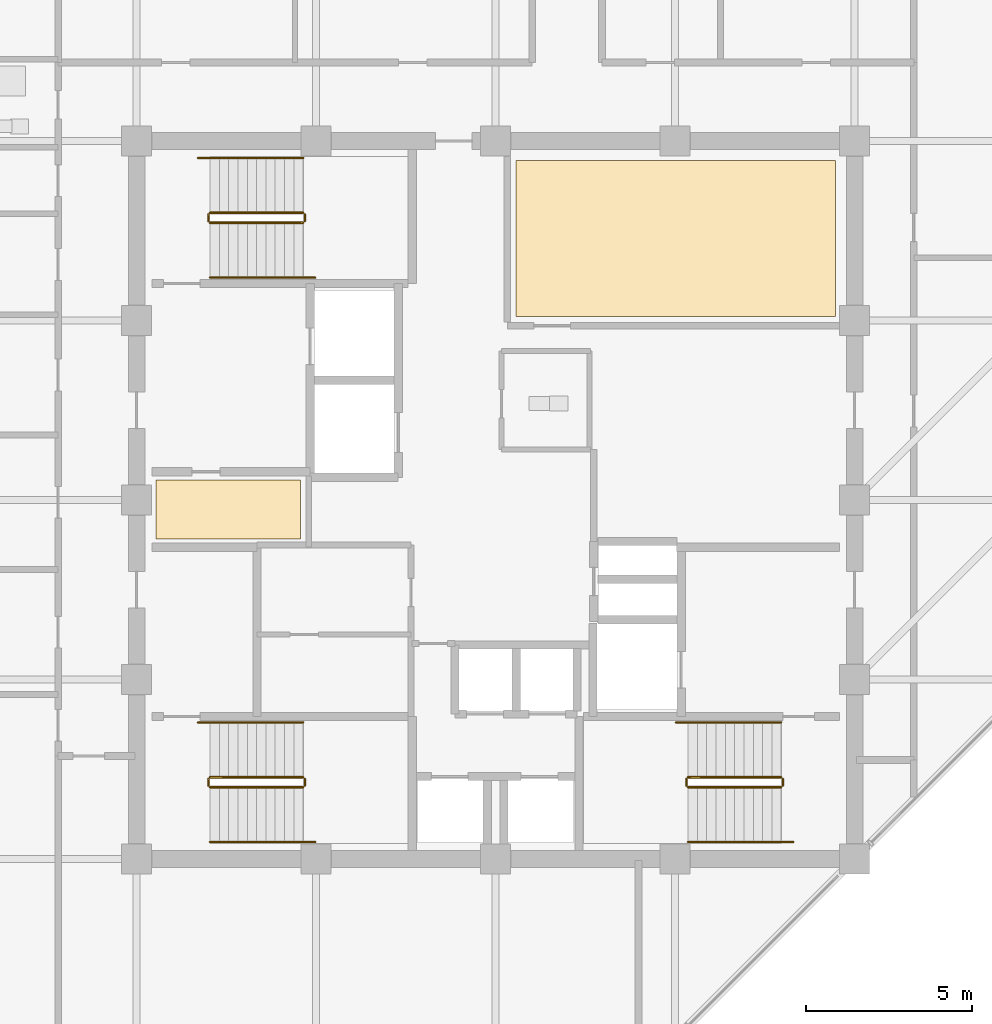
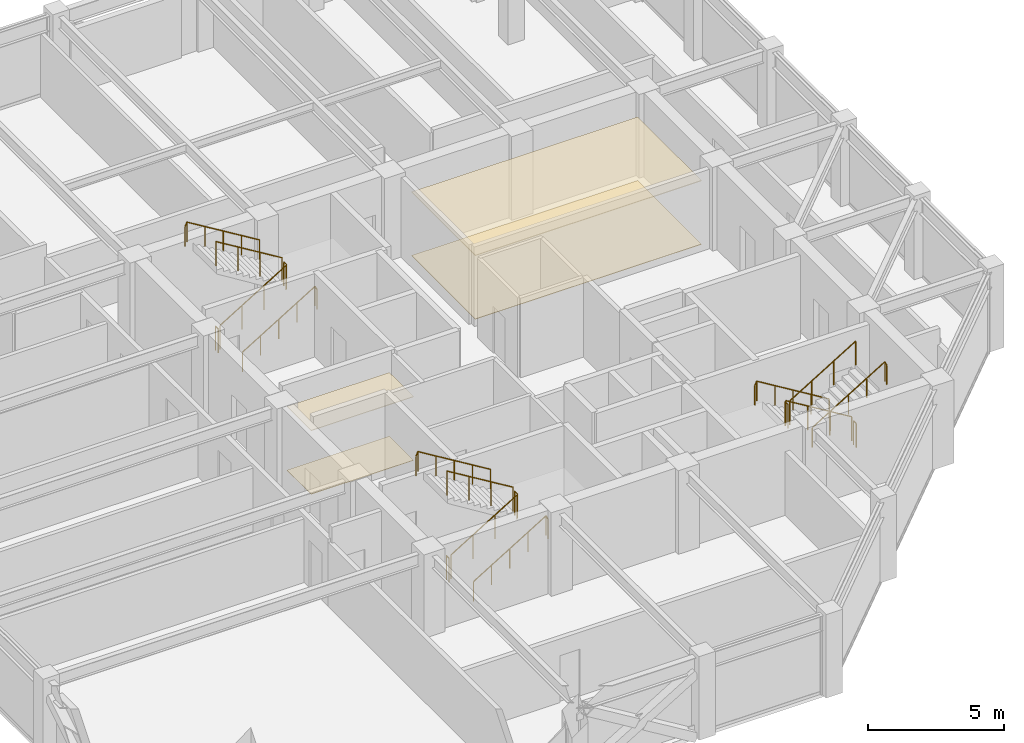
# One storey, part 29 of 30: 18 railings, 4 coverings.
"""IFC4 building model written with IfcOpenShell, lengths in metres."""

from ifc_helpers import new_model, si_unit, direction, frame, origin, origin_2d, place, context, subcontext, project, spatial, polyline, circle, outline, extrude, material, layer, layer_set, type_object, element, save


model = new_model("IFC4")

# Units and contexts
model_context = context("Model", 3, precision=1e-05, world=origin(), true_north=direction((0.0, 1.0)))
body_context = subcontext(model_context, "Body", "Model", "MODEL_VIEW")
ifc_project = project(units=[si_unit("LENGTHUNIT", "METRE"), si_unit("AREAUNIT", "SQUARE_METRE"), si_unit("VOLUMEUNIT", "CUBIC_METRE"), si_unit("PLANEANGLEUNIT", "RADIAN"), si_unit("MASSUNIT", "GRAM", prefix="KILO")], contexts=[model_context])

# Site, building, storey
site_placement = place(None, origin())
site = spatial("IfcSite", under=ifc_project, at=site_placement, CompositionType="ELEMENT")
building_placement = place(site_placement, origin())
building = spatial("IfcBuilding", under=site, at=building_placement, Name="Surkhivell Harbour Commons", CompositionType="ELEMENT")
storey_placement = place(building_placement, frame((0.0, 0.0, 296.25)))
storey = spatial("IfcBuildingStorey", under=building, at=storey_placement, Name="L77", CompositionType="ELEMENT", Elevation=296.25)

# Coverings
ifc_material_1 = material(Name="Perforated acoustic mineral-fibre ceiling tile", Category="other")
ifc_layer_1 = layer(ifc_material_1, 0.02490234375)
ifc_layer_set_1 = layer_set([ifc_layer_1], Name="Perforated acoustic mineral-fibre ceiling tile")
covering_type_1 = type_object("IfcCoveringType", Name="COV-CEIL-AC", PredefinedType="CEILING", material=ifc_layer_set_1)
covering_1_placement = place(storey_placement, frame((0.0, 0.0, 2.85205078125)))
element("IfcCovering", 1, at=covering_1_placement, inside=storey, type_object=covering_type_1, Name="L77 Suspended Acoustic Ceiling 1", PredefinedType="CEILING", context=body_context, shape_type="SweptSolid", body=[
    extrude(outline(polyline([(-10.219970703125, -1.179931640625), (-5.8701171875, -1.179931640625), (-5.8701171875, 0.60009765625), (-10.219970703125, 0.60009765625), (-10.219970703125, -1.179931640625)])), origin(), (0.0, 0.0, 1.0), 0.02490234375),
])
ifc_material_2 = material(Name="Moisture-resistant gypsum acoustic ceiling board", Category="other")
ifc_layer_2 = layer(ifc_material_2, 0.030029296875)
ifc_layer_set_2 = layer_set([ifc_layer_2], Name="Moisture-resistant gypsum acoustic ceiling board")
covering_type_2 = type_object("IfcCoveringType", Name="COV-CEIL-GYP", PredefinedType="CEILING", material=ifc_layer_set_2)
covering_2_placement = place(storey_placement, frame((0.0, 0.0, 2.846923828125)))
element("IfcCovering", 2, at=covering_2_placement, inside=storey, type_object=covering_type_2, Name="L77 Suspended Acoustic Ceiling 2", PredefinedType="CEILING", context=body_context, shape_type="SweptSolid", body=[
    extrude(outline(polyline([(0.6201171875, 5.52001953125), (10.219970703125, 5.52001953125), (10.219970703125, 10.219970703125), (0.6201171875, 10.219970703125), (0.6201171875, 5.52001953125)])), origin(), (0.0, 0.0, 1.0), 0.030029296875),
])
ifc_material_3 = material(Name="Engineered acoustic oak timber flooring", Category="wood")
ifc_layer_3 = layer(ifc_material_3, 0.02001953125)
ifc_layer_set_3 = layer_set([ifc_layer_3], Name="Engineered acoustic oak timber flooring")
covering_type_3 = type_object("IfcCoveringType", Name="COV-FLR-TIM", PredefinedType="FLOORING", material=ifc_layer_set_3)
covering_3_placement = place(storey_placement, origin())
element("IfcCovering", 3, at=covering_3_placement, inside=storey, type_object=covering_type_3, Name="L77 Interior Floor Finish 1", PredefinedType="FLOORING", context=body_context, shape_type="SweptSolid", body=[
    extrude(outline(polyline([(-10.219970703125, -1.179931640625), (-5.8701171875, -1.179931640625), (-5.8701171875, 0.60009765625), (-10.219970703125, 0.60009765625), (-10.219970703125, -1.179931640625)])), origin(), (0.0, 0.0, 1.0), 0.02001953125),
])
covering_4_placement = place(storey_placement, origin())
element("IfcCovering", 4, at=covering_4_placement, inside=storey, type_object=covering_type_3, Name="L77 Interior Floor Finish 2", PredefinedType="FLOORING", context=body_context, shape_type="SweptSolid", body=[
    extrude(outline(polyline([(0.6201171875, 5.52001953125), (10.219970703125, 5.52001953125), (10.219970703125, 10.219970703125), (0.6201171875, 10.219970703125), (0.6201171875, 5.52001953125)])), origin(), (0.0, 0.0, 1.0), 0.02001953125),
])

# Railings
ifc_material_4 = material(Name="Galvanised and painted steel S355 guard rail", Category="steel")
railing_type_1 = type_object("IfcRailingType", Name="RAL-ST-GRD1100", PredefinedType="GUARDRAIL", material=ifc_material_4)
railing_1_placement = place(storey_placement, frame((-8.590087890625, 8.340087890625, 0.17041015625)))
element("IfcRailing", 5, at=railing_1_placement, inside=storey, type_object=railing_type_1, Name="L77 ST1 stair guard 1", PredefinedType="GUARDRAIL", context=body_context, shape_type="SweptSolid", body=[
    extrude(circle(Radius=0.02392578125, at=origin_2d()), frame((0.0, 0.0, 1.076171875), z_axis=(0.854169791009, 0.0, 0.51999420009), x_axis=(0.0, 1.0, 0.0)), (0.0, 0.0, 1.0), 3.278076171875),
    extrude(circle(Radius=0.02099609375, at=origin_2d()), origin(), (0.0, 0.0, 1.0), 1.052001953125),
    extrude(circle(Radius=0.02099609375, at=origin_2d()), frame((0.933349609375, 0.0, 0.568115234375)), (0.0, 0.0, 1.0), 1.052001953125),
    extrude(circle(Radius=0.02099609375, at=origin_2d()), frame((1.86669921875, 0.0, 1.136474609375)), (0.0, 0.0, 1.0), 1.052001953125),
    extrude(circle(Radius=0.02099609375, at=origin_2d()), frame((2.800048828125, 0.0, 1.70458984375)), (0.0, 0.0, 1.0), 1.052001953125),
])
railing_2_placement = place(storey_placement, frame((-5.739990234375, 8.389892578125, 1.875)))
element("IfcRailing", 6, at=railing_2_placement, inside=storey, type_object=railing_type_1, Name="L77 ST1 stair guard 2", PredefinedType="GUARDRAIL", context=body_context, shape_type="SweptSolid", body=[
    extrude(circle(Radius=0.02392578125, at=origin_2d()), frame((0.0, 0.0, 1.076171875), z_axis=(0.0, 1.0, 0.0), x_axis=(-1.0, 0.0, 0.0)), (0.0, 0.0, 1.0), 0.2001953125),
    extrude(circle(Radius=0.02099609375, at=origin_2d()), origin(), (0.0, 0.0, 1.0), 1.052001953125),
    extrude(circle(Radius=0.02099609375, at=origin_2d()), frame((0.0, 0.2001953125, 0.0)), (0.0, 0.0, 1.0), 1.052001953125),
])
railing_3_placement = place(storey_placement, frame((-5.7900390625, 8.639892578125, 2.04541015625)))
element("IfcRailing", 7, at=railing_3_placement, inside=storey, type_object=railing_type_1, Name="L77 ST1 stair guard 3", PredefinedType="GUARDRAIL", context=body_context, shape_type="SweptSolid", body=[
    extrude(circle(Radius=0.02392578125, at=origin_2d()), frame((0.0, 0.0, 1.076171875), z_axis=(-0.854169791009, 0.0, 0.51999420009), x_axis=(0.0, -1.0, 0.0)), (0.0, 0.0, 1.0), 3.278076171875),
    extrude(circle(Radius=0.02099609375, at=origin_2d()), origin(), (0.0, 0.0, 1.0), 1.052001953125),
    extrude(circle(Radius=0.02099609375, at=origin_2d()), frame((-0.933349609375, 0.0, 0.568115234375)), (0.0, 0.0, 1.0), 1.052001953125),
    extrude(circle(Radius=0.02099609375, at=origin_2d()), frame((-1.86669921875, 0.0, 1.136474609375)), (0.0, 0.0, 1.0), 1.052001953125),
    extrude(circle(Radius=0.02099609375, at=origin_2d()), frame((-2.800048828125, 0.0, 1.70458984375)), (0.0, 0.0, 1.0), 1.052001953125),
])
railing_4_placement = place(storey_placement, frame((-8.639892578125, 8.389892578125, 0.0)))
element("IfcRailing", 8, at=railing_4_placement, inside=storey, type_object=railing_type_1, Name="L77 ST1 stair guard 4", PredefinedType="GUARDRAIL", context=body_context, shape_type="SweptSolid", body=[
    extrude(circle(Radius=0.02392578125, at=origin_2d()), frame((0.0, 0.0, 1.076171875), z_axis=(0.0, 1.0, 0.0), x_axis=(-1.0, 0.0, 0.0)), (0.0, 0.0, 1.0), 0.2001953125),
    extrude(circle(Radius=0.02099609375, at=origin_2d()), origin(), (0.0, 0.0, 1.0), 1.052001953125),
    extrude(circle(Radius=0.02099609375, at=origin_2d()), frame((0.0, 0.2001953125, 0.0)), (0.0, 0.0, 1.0), 1.052001953125),
])
railing_5_placement = place(storey_placement, frame((8.590087890625, -8.340087890625, 0.17041015625)))
element("IfcRailing", 9, at=railing_5_placement, inside=storey, type_object=railing_type_1, Name="L77 ST2 stair guard 1", PredefinedType="GUARDRAIL", context=body_context, shape_type="SweptSolid", body=[
    extrude(circle(Radius=0.02392578125, at=origin_2d()), frame((0.0, 0.0, 1.076171875), z_axis=(-0.854169791009, 0.0, 0.51999420009), x_axis=(0.0, -1.0, 0.0)), (0.0, 0.0, 1.0), 3.278076171875),
    extrude(circle(Radius=0.02099609375, at=origin_2d()), origin(), (0.0, 0.0, 1.0), 1.052001953125),
    extrude(circle(Radius=0.02099609375, at=origin_2d()), frame((-0.933349609375, 0.0, 0.568115234375)), (0.0, 0.0, 1.0), 1.052001953125),
    extrude(circle(Radius=0.02099609375, at=origin_2d()), frame((-1.86669921875, 0.0, 1.136474609375)), (0.0, 0.0, 1.0), 1.052001953125),
    extrude(circle(Radius=0.02099609375, at=origin_2d()), frame((-2.800048828125, 0.0, 1.70458984375)), (0.0, 0.0, 1.0), 1.052001953125),
])
railing_6_placement = place(storey_placement, frame((5.739990234375, -8.389892578125, 1.875)))
element("IfcRailing", 10, at=railing_6_placement, inside=storey, type_object=railing_type_1, Name="L77 ST2 stair guard 2", PredefinedType="GUARDRAIL", context=body_context, shape_type="SweptSolid", body=[
    extrude(circle(Radius=0.02392578125, at=origin_2d()), frame((0.0, 0.0, 1.076171875), z_axis=(0.0, -1.0, 0.0), x_axis=(1.0, 0.0, 0.0)), (0.0, 0.0, 1.0), 0.2001953125),
    extrude(circle(Radius=0.02099609375, at=origin_2d()), origin(), (0.0, 0.0, 1.0), 1.052001953125),
    extrude(circle(Radius=0.02099609375, at=origin_2d()), frame((0.0, -0.2001953125, 0.0)), (0.0, 0.0, 1.0), 1.052001953125),
])
railing_7_placement = place(storey_placement, frame((5.7900390625, -8.639892578125, 2.04541015625)))
element("IfcRailing", 11, at=railing_7_placement, inside=storey, type_object=railing_type_1, Name="L77 ST2 stair guard 3", PredefinedType="GUARDRAIL", context=body_context, shape_type="SweptSolid", body=[
    extrude(circle(Radius=0.02392578125, at=origin_2d()), frame((0.0, 0.0, 1.076171875), z_axis=(0.854169791009, 0.0, 0.51999420009), x_axis=(0.0, 1.0, 0.0)), (0.0, 0.0, 1.0), 3.278076171875),
    extrude(circle(Radius=0.02099609375, at=origin_2d()), origin(), (0.0, 0.0, 1.0), 1.052001953125),
    extrude(circle(Radius=0.02099609375, at=origin_2d()), frame((0.933349609375, 0.0, 0.568115234375)), (0.0, 0.0, 1.0), 1.052001953125),
    extrude(circle(Radius=0.02099609375, at=origin_2d()), frame((1.86669921875, 0.0, 1.136474609375)), (0.0, 0.0, 1.0), 1.052001953125),
    extrude(circle(Radius=0.02099609375, at=origin_2d()), frame((2.800048828125, 0.0, 1.70458984375)), (0.0, 0.0, 1.0), 1.052001953125),
])
railing_8_placement = place(storey_placement, frame((8.639892578125, -8.389892578125, 0.0)))
element("IfcRailing", 12, at=railing_8_placement, inside=storey, type_object=railing_type_1, Name="L77 ST2 stair guard 4", PredefinedType="GUARDRAIL", context=body_context, shape_type="SweptSolid", body=[
    extrude(circle(Radius=0.02392578125, at=origin_2d()), frame((0.0, 0.0, 1.076171875), z_axis=(0.0, -1.0, 0.0), x_axis=(1.0, 0.0, 0.0)), (0.0, 0.0, 1.0), 0.2001953125),
    extrude(circle(Radius=0.02099609375, at=origin_2d()), origin(), (0.0, 0.0, 1.0), 1.052001953125),
    extrude(circle(Radius=0.02099609375, at=origin_2d()), frame((0.0, -0.2001953125, 0.0)), (0.0, 0.0, 1.0), 1.052001953125),
])
railing_9_placement = place(storey_placement, frame((-8.590087890625, -8.639892578125, 0.17041015625)))
element("IfcRailing", 13, at=railing_9_placement, inside=storey, type_object=railing_type_1, Name="L77 ST3 stair guard 1", PredefinedType="GUARDRAIL", context=body_context, shape_type="SweptSolid", body=[
    extrude(circle(Radius=0.02392578125, at=origin_2d()), frame((0.0, 0.0, 1.076171875), z_axis=(0.854169791009, 0.0, 0.51999420009), x_axis=(0.0, 1.0, 0.0)), (0.0, 0.0, 1.0), 3.278076171875),
    extrude(circle(Radius=0.02099609375, at=origin_2d()), origin(), (0.0, 0.0, 1.0), 1.052001953125),
    extrude(circle(Radius=0.02099609375, at=origin_2d()), frame((0.933349609375, 0.0, 0.568115234375)), (0.0, 0.0, 1.0), 1.052001953125),
    extrude(circle(Radius=0.02099609375, at=origin_2d()), frame((1.86669921875, 0.0, 1.136474609375)), (0.0, 0.0, 1.0), 1.052001953125),
    extrude(circle(Radius=0.02099609375, at=origin_2d()), frame((2.800048828125, 0.0, 1.70458984375)), (0.0, 0.0, 1.0), 1.052001953125),
])
railing_10_placement = place(storey_placement, frame((-5.739990234375, -8.590087890625, 1.875)))
element("IfcRailing", 14, at=railing_10_placement, inside=storey, type_object=railing_type_1, Name="L77 ST3 stair guard 2", PredefinedType="GUARDRAIL", context=body_context, shape_type="SweptSolid", body=[
    extrude(circle(Radius=0.02392578125, at=origin_2d()), frame((0.0, 0.0, 1.076171875), z_axis=(0.0, 1.0, 0.0), x_axis=(-1.0, 0.0, 0.0)), (0.0, 0.0, 1.0), 0.2001953125),
    extrude(circle(Radius=0.02099609375, at=origin_2d()), origin(), (0.0, 0.0, 1.0), 1.052001953125),
    extrude(circle(Radius=0.02099609375, at=origin_2d()), frame((0.0, 0.2001953125, 0.0)), (0.0, 0.0, 1.0), 1.052001953125),
])
railing_11_placement = place(storey_placement, frame((-5.7900390625, -8.340087890625, 2.04541015625)))
element("IfcRailing", 15, at=railing_11_placement, inside=storey, type_object=railing_type_1, Name="L77 ST3 stair guard 3", PredefinedType="GUARDRAIL", context=body_context, shape_type="SweptSolid", body=[
    extrude(circle(Radius=0.02392578125, at=origin_2d()), frame((0.0, 0.0, 1.076171875), z_axis=(-0.854169791009, 0.0, 0.51999420009), x_axis=(0.0, -1.0, 0.0)), (0.0, 0.0, 1.0), 3.278076171875),
    extrude(circle(Radius=0.02099609375, at=origin_2d()), origin(), (0.0, 0.0, 1.0), 1.052001953125),
    extrude(circle(Radius=0.02099609375, at=origin_2d()), frame((-0.933349609375, 0.0, 0.568115234375)), (0.0, 0.0, 1.0), 1.052001953125),
    extrude(circle(Radius=0.02099609375, at=origin_2d()), frame((-1.86669921875, 0.0, 1.136474609375)), (0.0, 0.0, 1.0), 1.052001953125),
    extrude(circle(Radius=0.02099609375, at=origin_2d()), frame((-2.800048828125, 0.0, 1.70458984375)), (0.0, 0.0, 1.0), 1.052001953125),
])
railing_12_placement = place(storey_placement, frame((-8.639892578125, -8.590087890625, 0.0)))
element("IfcRailing", 16, at=railing_12_placement, inside=storey, type_object=railing_type_1, Name="L77 ST3 stair guard 4", PredefinedType="GUARDRAIL", context=body_context, shape_type="SweptSolid", body=[
    extrude(circle(Radius=0.02392578125, at=origin_2d()), frame((0.0, 0.0, 1.076171875), z_axis=(0.0, 1.0, 0.0), x_axis=(-1.0, 0.0, 0.0)), (0.0, 0.0, 1.0), 0.2001953125),
    extrude(circle(Radius=0.02099609375, at=origin_2d()), origin(), (0.0, 0.0, 1.0), 1.052001953125),
    extrude(circle(Radius=0.02099609375, at=origin_2d()), frame((0.0, 0.2001953125, 0.0)), (0.0, 0.0, 1.0), 1.052001953125),
])
ifc_material_5 = material(Name="Brushed stainless steel S355 handrail", Category="steel")
railing_type_2 = type_object("IfcRailingType", Name="RAL-ST-HND900", PredefinedType="HANDRAIL", material=ifc_material_5)
railing_13_placement = place(storey_placement, frame((-8.590087890625, 6.68994140625, 0.17041015625)))
element("IfcRailing", 17, at=railing_13_placement, inside=storey, type_object=railing_type_2, Name="L77 ST1 stair handrail 1", PredefinedType="HANDRAIL", context=body_context, shape_type="SweptSolid", body=[
    extrude(circle(Radius=0.02392578125, at=origin_2d()), frame((0.0, 0.0, 0.8759765625), z_axis=(0.854177636135, 0.0, 0.519981313056), x_axis=(0.0, 1.0, 0.0)), (0.0, 0.0, 1.0), 3.60595703125),
    extrude(circle(Radius=0.02392578125, at=origin_2d()), frame((3.080078125, 0.0, 2.7509765625), z_axis=(0.425297416671, 0.0, -0.905053648892), x_axis=(0.0, 1.0, 0.0)), (0.0, 0.0, 1.0), 0.188232421875),
    extrude(circle(Radius=0.02099609375, at=origin_2d()), origin(), (0.0, 0.0, 1.0), 0.851806640625),
    extrude(circle(Radius=0.02099609375, at=origin_2d()), frame((0.77001953125, 0.0, 0.46875)), (0.0, 0.0, 1.0), 0.851806640625),
    extrude(circle(Radius=0.02099609375, at=origin_2d()), frame((1.5400390625, 0.0, 0.9375)), (0.0, 0.0, 1.0), 0.851806640625),
    extrude(circle(Radius=0.02099609375, at=origin_2d()), frame((2.31005859375, 0.0, 1.40625)), (0.0, 0.0, 1.0), 0.851806640625),
    extrude(circle(Radius=0.02099609375, at=origin_2d()), frame((3.080078125, 0.0, 1.875)), (0.0, 0.0, 1.0), 0.851806640625),
    extrude(circle(Radius=0.02099609375, at=origin_2d()), frame((3.16015625, 0.0, 1.70458984375)), (0.0, 0.0, 1.0), 0.851806640625),
])
railing_14_placement = place(storey_placement, frame((-5.7900390625, 10.2900390625, 2.04541015625)))
element("IfcRailing", 18, at=railing_14_placement, inside=storey, type_object=railing_type_2, Name="L77 ST1 stair handrail 2", PredefinedType="HANDRAIL", context=body_context, shape_type="SweptSolid", body=[
    extrude(circle(Radius=0.02392578125, at=origin_2d()), frame((0.0, 0.0, 0.8759765625), z_axis=(-0.854177636135, 0.0, 0.519981313056), x_axis=(0.0, -1.0, 0.0)), (0.0, 0.0, 1.0), 3.60595703125),
    extrude(circle(Radius=0.02392578125, at=origin_2d()), frame((-3.080078125, 0.0, 2.7509765625), z_axis=(-0.424234432967, 0.0, -0.905552398199), x_axis=(0.0, -1.0, 0.0)), (0.0, 0.0, 1.0), 0.188232421875),
    extrude(circle(Radius=0.02099609375, at=origin_2d()), origin(), (0.0, 0.0, 1.0), 0.851806640625),
    extrude(circle(Radius=0.02099609375, at=origin_2d()), frame((-0.77001953125, 0.0, 0.46875)), (0.0, 0.0, 1.0), 0.851806640625),
    extrude(circle(Radius=0.02099609375, at=origin_2d()), frame((-1.5400390625, 0.0, 0.9375)), (0.0, 0.0, 1.0), 0.851806640625),
    extrude(circle(Radius=0.02099609375, at=origin_2d()), frame((-2.31005859375, 0.0, 1.40625)), (0.0, 0.0, 1.0), 0.851806640625),
    extrude(circle(Radius=0.02099609375, at=origin_2d()), frame((-3.080078125, 0.0, 1.875)), (0.0, 0.0, 1.0), 0.851806640625),
    extrude(circle(Radius=0.02099609375, at=origin_2d()), frame((-3.159912109375, 0.0, 1.70458984375)), (0.0, 0.0, 1.0), 0.851806640625),
])
railing_15_placement = place(storey_placement, frame((8.590087890625, -6.68994140625, 0.17041015625)))
element("IfcRailing", 19, at=railing_15_placement, inside=storey, type_object=railing_type_2, Name="L77 ST2 stair handrail 1", PredefinedType="HANDRAIL", context=body_context, shape_type="SweptSolid", body=[
    extrude(circle(Radius=0.02392578125, at=origin_2d()), frame((0.0, 0.0, 0.8759765625), z_axis=(-0.854177636135, 0.0, 0.519981313056), x_axis=(0.0, -1.0, 0.0)), (0.0, 0.0, 1.0), 3.60595703125),
    extrude(circle(Radius=0.02392578125, at=origin_2d()), frame((-3.080078125, 0.0, 2.7509765625), z_axis=(-0.425297416671, 0.0, -0.905053648892), x_axis=(0.0, -1.0, 0.0)), (0.0, 0.0, 1.0), 0.188232421875),
    extrude(circle(Radius=0.02099609375, at=origin_2d()), origin(), (0.0, 0.0, 1.0), 0.851806640625),
    extrude(circle(Radius=0.02099609375, at=origin_2d()), frame((-0.77001953125, 0.0, 0.46875)), (0.0, 0.0, 1.0), 0.851806640625),
    extrude(circle(Radius=0.02099609375, at=origin_2d()), frame((-1.5400390625, 0.0, 0.9375)), (0.0, 0.0, 1.0), 0.851806640625),
    extrude(circle(Radius=0.02099609375, at=origin_2d()), frame((-2.31005859375, 0.0, 1.40625)), (0.0, 0.0, 1.0), 0.851806640625),
    extrude(circle(Radius=0.02099609375, at=origin_2d()), frame((-3.080078125, 0.0, 1.875)), (0.0, 0.0, 1.0), 0.851806640625),
    extrude(circle(Radius=0.02099609375, at=origin_2d()), frame((-3.16015625, 0.0, 1.70458984375)), (0.0, 0.0, 1.0), 0.851806640625),
])
railing_16_placement = place(storey_placement, frame((5.7900390625, -10.2900390625, 2.04541015625)))
element("IfcRailing", 20, at=railing_16_placement, inside=storey, type_object=railing_type_2, Name="L77 ST2 stair handrail 2", PredefinedType="HANDRAIL", context=body_context, shape_type="SweptSolid", body=[
    extrude(circle(Radius=0.02392578125, at=origin_2d()), frame((0.0, 0.0, 0.8759765625), z_axis=(0.854177636135, 0.0, 0.519981313056), x_axis=(0.0, 1.0, 0.0)), (0.0, 0.0, 1.0), 3.60595703125),
    extrude(circle(Radius=0.02392578125, at=origin_2d()), frame((3.080078125, 0.0, 2.7509765625), z_axis=(0.424234432967, 0.0, -0.905552398199), x_axis=(0.0, 1.0, 0.0)), (0.0, 0.0, 1.0), 0.188232421875),
    extrude(circle(Radius=0.02099609375, at=origin_2d()), origin(), (0.0, 0.0, 1.0), 0.851806640625),
    extrude(circle(Radius=0.02099609375, at=origin_2d()), frame((0.77001953125, 0.0, 0.46875)), (0.0, 0.0, 1.0), 0.851806640625),
    extrude(circle(Radius=0.02099609375, at=origin_2d()), frame((1.5400390625, 0.0, 0.9375)), (0.0, 0.0, 1.0), 0.851806640625),
    extrude(circle(Radius=0.02099609375, at=origin_2d()), frame((2.31005859375, 0.0, 1.40625)), (0.0, 0.0, 1.0), 0.851806640625),
    extrude(circle(Radius=0.02099609375, at=origin_2d()), frame((3.080078125, 0.0, 1.875)), (0.0, 0.0, 1.0), 0.851806640625),
    extrude(circle(Radius=0.02099609375, at=origin_2d()), frame((3.159912109375, 0.0, 1.70458984375)), (0.0, 0.0, 1.0), 0.851806640625),
])
railing_17_placement = place(storey_placement, frame((-8.590087890625, -10.2900390625, 0.17041015625)))
element("IfcRailing", 21, at=railing_17_placement, inside=storey, type_object=railing_type_2, Name="L77 ST3 stair handrail 1", PredefinedType="HANDRAIL", context=body_context, shape_type="SweptSolid", body=[
    extrude(circle(Radius=0.02392578125, at=origin_2d()), frame((0.0, 0.0, 0.8759765625), z_axis=(0.854177636135, 0.0, 0.519981313056), x_axis=(0.0, 1.0, 0.0)), (0.0, 0.0, 1.0), 3.60595703125),
    extrude(circle(Radius=0.02392578125, at=origin_2d()), frame((3.080078125, 0.0, 2.7509765625), z_axis=(0.425297416671, 0.0, -0.905053648892), x_axis=(0.0, 1.0, 0.0)), (0.0, 0.0, 1.0), 0.188232421875),
    extrude(circle(Radius=0.02099609375, at=origin_2d()), origin(), (0.0, 0.0, 1.0), 0.851806640625),
    extrude(circle(Radius=0.02099609375, at=origin_2d()), frame((0.77001953125, 0.0, 0.46875)), (0.0, 0.0, 1.0), 0.851806640625),
    extrude(circle(Radius=0.02099609375, at=origin_2d()), frame((1.5400390625, 0.0, 0.9375)), (0.0, 0.0, 1.0), 0.851806640625),
    extrude(circle(Radius=0.02099609375, at=origin_2d()), frame((2.31005859375, 0.0, 1.40625)), (0.0, 0.0, 1.0), 0.851806640625),
    extrude(circle(Radius=0.02099609375, at=origin_2d()), frame((3.080078125, 0.0, 1.875)), (0.0, 0.0, 1.0), 0.851806640625),
    extrude(circle(Radius=0.02099609375, at=origin_2d()), frame((3.16015625, 0.0, 1.70458984375)), (0.0, 0.0, 1.0), 0.851806640625),
])
railing_18_placement = place(storey_placement, frame((-5.7900390625, -6.68994140625, 2.04541015625)))
element("IfcRailing", 22, at=railing_18_placement, inside=storey, type_object=railing_type_2, Name="L77 ST3 stair handrail 2", PredefinedType="HANDRAIL", context=body_context, shape_type="SweptSolid", body=[
    extrude(circle(Radius=0.02392578125, at=origin_2d()), frame((0.0, 0.0, 0.8759765625), z_axis=(-0.854177636135, 0.0, 0.519981313056), x_axis=(0.0, -1.0, 0.0)), (0.0, 0.0, 1.0), 3.60595703125),
    extrude(circle(Radius=0.02392578125, at=origin_2d()), frame((-3.080078125, 0.0, 2.7509765625), z_axis=(-0.424234432967, 0.0, -0.905552398199), x_axis=(0.0, -1.0, 0.0)), (0.0, 0.0, 1.0), 0.188232421875),
    extrude(circle(Radius=0.02099609375, at=origin_2d()), origin(), (0.0, 0.0, 1.0), 0.851806640625),
    extrude(circle(Radius=0.02099609375, at=origin_2d()), frame((-0.77001953125, 0.0, 0.46875)), (0.0, 0.0, 1.0), 0.851806640625),
    extrude(circle(Radius=0.02099609375, at=origin_2d()), frame((-1.5400390625, 0.0, 0.9375)), (0.0, 0.0, 1.0), 0.851806640625),
    extrude(circle(Radius=0.02099609375, at=origin_2d()), frame((-2.31005859375, 0.0, 1.40625)), (0.0, 0.0, 1.0), 0.851806640625),
    extrude(circle(Radius=0.02099609375, at=origin_2d()), frame((-3.080078125, 0.0, 1.875)), (0.0, 0.0, 1.0), 0.851806640625),
    extrude(circle(Radius=0.02099609375, at=origin_2d()), frame((-3.159912109375, 0.0, 1.70458984375)), (0.0, 0.0, 1.0), 0.851806640625),
])

save(model, "model.ifc")
